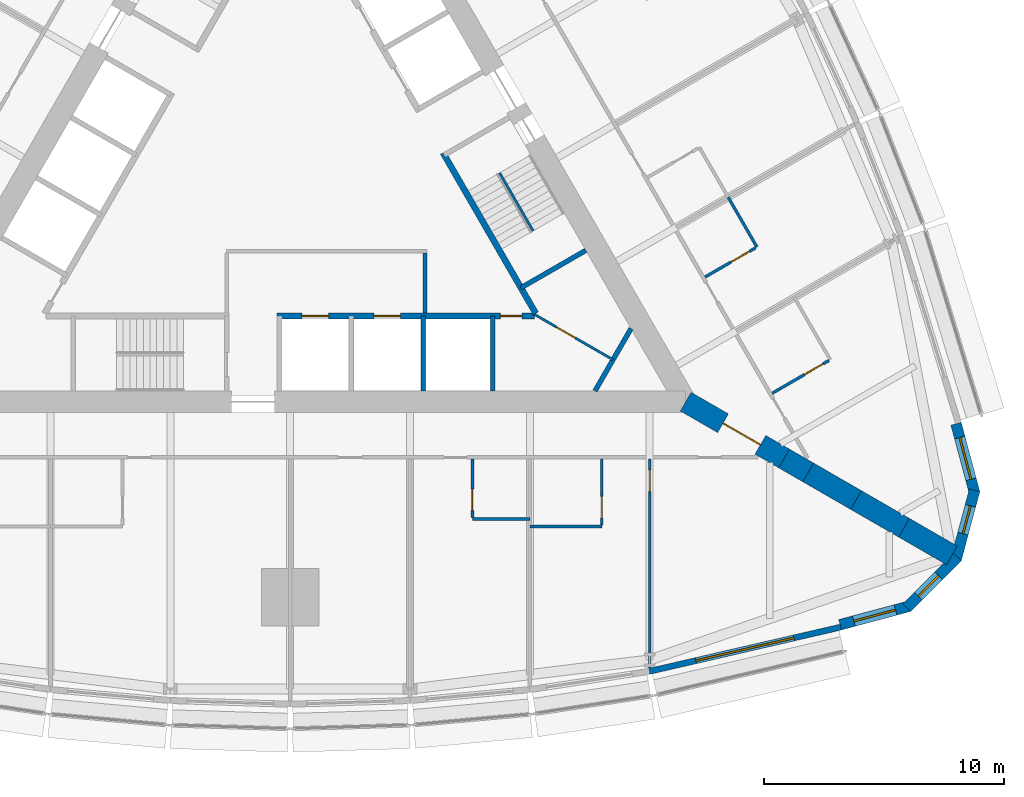
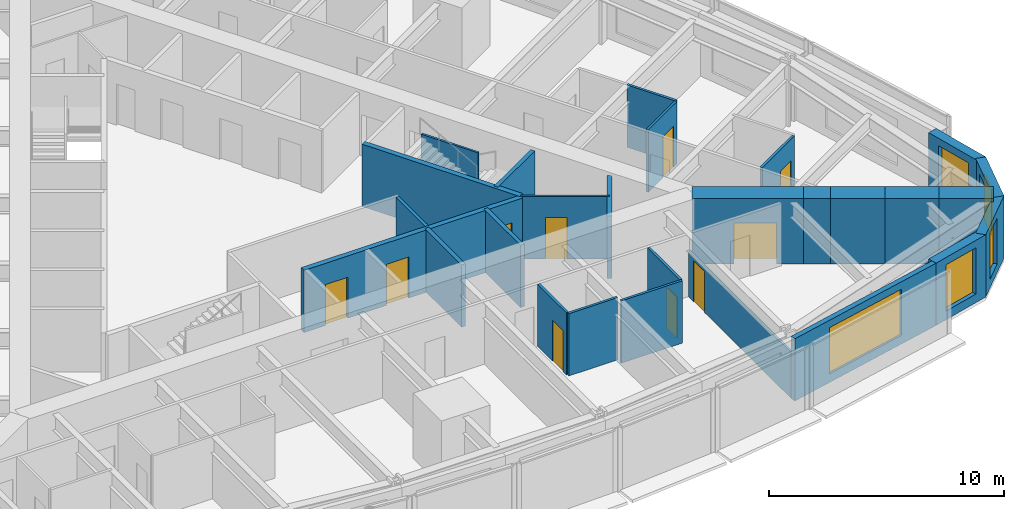
# One storey, part 10 of 14: 27 walls, 10 doors, 5 windows, 15 openings.
"""IFC4 building model written with IfcOpenShell, lengths in metres."""

from ifc_helpers import new_model, si_unit, direction, frame, frame_2d, origin, place, context, subcontext, project, spatial, polyline, rectangle, outline, extrude, material, layer, layer_set, type_object, element, fill, save


model = new_model("IFC4")

# Units and contexts
model_context = context("Model", 3, precision=1e-05, world=origin(), true_north=direction((0.0, 1.0)))
body_context = subcontext(model_context, "Body", "Model", "MODEL_VIEW")
ifc_project = project(units=[si_unit("LENGTHUNIT", "METRE"), si_unit("AREAUNIT", "SQUARE_METRE"), si_unit("VOLUMEUNIT", "CUBIC_METRE"), si_unit("PLANEANGLEUNIT", "RADIAN"), si_unit("MASSUNIT", "GRAM", prefix="KILO")], contexts=[model_context])

# Site, building, storey
site_placement = place(None, origin())
site = spatial("IfcSite", under=ifc_project, at=site_placement, CompositionType="ELEMENT")
building_placement = place(site_placement, origin())
building = spatial("IfcBuilding", under=site, at=building_placement, Name="Trikona Tower", CompositionType="ELEMENT")
storey_placement = place(building_placement, frame((0.0, 0.0, 38.699951171875)))
storey = spatial("IfcBuildingStorey", under=building, at=storey_placement, Name="L08", CompositionType="ELEMENT", Elevation=38.699951171875)

# Wall
ifc_material_1 = material(Name="Metal stud and cement board", Category="gypsum")
ifc_layer_1 = layer(ifc_material_1, 0.1201171875)
ifc_layer_set_1 = layer_set([ifc_layer_1], Name="Bathroom wall 120")
wall_type_1 = type_object("IfcWallType", Name="Bathroom wall 120", PredefinedType="PLUMBINGWALL", material=ifc_layer_set_1)
wall_1_placement = place(storey_placement, frame((7.60009765625, -14.42626953125, 0.0), z_axis=(0.0, 0.0, 1.0), x_axis=(1.0, 0.0, 0.0)))
element("IfcWall", 1, at=wall_1_placement, inside=storey, type_object=wall_type_1, Name="Bathroom wall 0804", PredefinedType="PLUMBINGWALL", context=body_context, shape_type="SweptSolid", body=[
    extrude(rectangle(XDim=2.39990234375, YDim=0.1201171875, at=frame_2d((1.199951171875, 0.0))), origin(), (0.0, 0.0, 1.0), 3.235107421875),
])

# Wall, opening, door
wall_2_placement = place(storey_placement, frame((7.60009765625, -11.92626953125, 0.0), z_axis=(0.0, 0.0, 1.0), x_axis=(0.0, -1.0, 0.0)))
wall_2 = element("IfcWall", 2, at=wall_2_placement, inside=storey, type_object=wall_type_1, Name="Bathroom wall 0804", PredefinedType="PLUMBINGWALL", context=body_context, shape_type="SweptSolid", body=[
    extrude(rectangle(XDim=2.43994140625, YDim=0.1201171875, at=frame_2d((1.219970703125, 0.0))), origin(), (0.0, 0.0, 1.0), 3.235107421875),
])
opening_1_placement = place(wall_2_placement, frame((1.25, 0.0, 0.0)))
opening_1 = element("IfcOpeningElement", 3, at=opening_1_placement, cuts=wall_2, Name="Opening D2", PredefinedType="OPENING", context=body_context, shape_type="SweptSolid", body=[
    extrude(rectangle(XDim=0.89990234375, YDim=2.1298828125, at=frame_2d((0.449951171875, 1.06494140625))), frame((0.0, 0.070068359375, 0.0), z_axis=(0.0, -1.0, 0.0), x_axis=(1.0, 0.0, 0.0)), (0.0, 0.0, 1.0), 0.14013671875),
])
ifc_material_2 = material(Name="Steel door frame with solid-core timber leaf", Category="steel")
door_type_1 = type_object("IfcDoorType", Name="Bathroom door 900x2130", OperationType="SLIDING_TO_LEFT", PredefinedType="DOOR", material=ifc_material_2)
door_1_placement = place(opening_1_placement, origin())
door_1 = element("IfcDoor", 4, at=door_1_placement, inside=storey, type_object=door_type_1, Name="Bathroom door 0804", OperationType="SLIDING_TO_LEFT", OverallHeight=2.1298828125, OverallWidth=0.89990234375, PredefinedType="DOOR", context=body_context, shape_type="SweptSolid", body=[
    extrude(rectangle(XDim=0.89990234375, YDim=2.1298828125, at=frame_2d((0.449951171875, 1.06494140625))), frame((0.0, 0.02490234375, 0.0), z_axis=(0.0, -1.0, 0.0), x_axis=(1.0, 0.0, 0.0)), (0.0, 0.0, 1.0), 0.050048828125),
])
fill(opening_1, door_1)

# Wall
wall_3_placement = place(storey_placement, frame((10.0, -14.726318359375, 0.0), z_axis=(0.0, 0.0, 1.0), x_axis=(1.0, 0.0, 0.0)))
element("IfcWall", 5, at=wall_3_placement, inside=storey, type_object=wall_type_1, Name="Bathroom wall 0805.1", PredefinedType="PLUMBINGWALL", context=body_context, shape_type="SweptSolid", body=[
    extrude(rectangle(XDim=3.0, YDim=0.1201171875, at=frame_2d((1.5, 0.0))), origin(), (0.0, 0.0, 1.0), 3.235107421875),
])

# Wall, opening, door
wall_4_placement = place(storey_placement, frame((13.0, -11.92626953125, 0.0), z_axis=(0.0, 0.0, 1.0), x_axis=(0.0, -1.0, 0.0)))
wall_4 = element("IfcWall", 6, at=wall_4_placement, inside=storey, type_object=wall_type_1, Name="Bathroom wall 0805.1", PredefinedType="PLUMBINGWALL", context=body_context, shape_type="SweptSolid", body=[
    extrude(rectangle(XDim=2.739990234375, YDim=0.1201171875, at=frame_2d((1.3701171875, 0.0))), origin(), (0.0, 0.0, 1.0), 3.235107421875),
])
opening_2_placement = place(wall_4_placement, frame((1.550048828125, 0.0, 0.0)))
opening_2 = element("IfcOpeningElement", 7, at=opening_2_placement, cuts=wall_4, Name="Opening D2", PredefinedType="OPENING", context=body_context, shape_type="SweptSolid", body=[
    extrude(rectangle(XDim=0.89990234375, YDim=2.1298828125, at=frame_2d((0.449951171875, 1.06494140625))), frame((0.0, 0.070068359375, 0.0), z_axis=(0.0, -1.0, 0.0), x_axis=(1.0, 0.0, 0.0)), (0.0, 0.0, 1.0), 0.14013671875),
])
door_2_placement = place(opening_2_placement, origin())
door_2 = element("IfcDoor", 8, at=door_2_placement, inside=storey, type_object=door_type_1, Name="Bathroom door 0805.1", OperationType="SLIDING_TO_LEFT", OverallHeight=2.1298828125, OverallWidth=0.89990234375, PredefinedType="DOOR", context=body_context, shape_type="SweptSolid", body=[
    extrude(rectangle(XDim=0.89990234375, YDim=2.1298828125, at=frame_2d((0.449951171875, 1.06494140625))), frame((0.0, 0.02490234375, 0.0), z_axis=(0.0, -1.0, 0.0), x_axis=(1.0, 0.0, 0.0)), (0.0, 0.0, 1.0), 0.050048828125),
])
fill(opening_2, door_2)

wall_5_placement = place(storey_placement, frame((20.10791015625, -9.17529296875, 0.0), z_axis=(0.0, 0.0, 1.0), x_axis=(0.866035715982, 0.499982138324, 0.0)))
wall_5 = element("IfcWall", 9, at=wall_5_placement, inside=storey, type_object=wall_type_1, Name="Bathroom wall 0806", PredefinedType="PLUMBINGWALL", context=body_context, shape_type="SweptSolid", body=[
    extrude(rectangle(XDim=2.73974609375, YDim=0.1201171875, at=frame_2d((1.369873046875, 0.0))), origin(), (0.0, 0.0, 1.0), 3.235107421875),
])
opening_3_placement = place(wall_5_placement, frame((1.550048828125, 0.0, 0.0)))
opening_3 = element("IfcOpeningElement", 10, at=opening_3_placement, cuts=wall_5, Name="Opening D2", PredefinedType="OPENING", context=body_context, shape_type="SweptSolid", body=[
    extrude(rectangle(XDim=0.89990234375, YDim=2.1298828125, at=frame_2d((0.449951171875, 1.06494140625))), frame((0.0, 0.070068359375, 0.0), z_axis=(0.0, -1.0, 0.0), x_axis=(1.0, 0.0, 0.0)), (0.0, 0.0, 1.0), 0.14013671875),
])
door_3_placement = place(opening_3_placement, origin())
door_3 = element("IfcDoor", 11, at=door_3_placement, inside=storey, type_object=door_type_1, Name="Bathroom door 0806", OperationType="SLIDING_TO_LEFT", OverallHeight=2.1298828125, OverallWidth=0.89990234375, PredefinedType="DOOR", context=body_context, shape_type="SweptSolid", body=[
    extrude(rectangle(XDim=0.89990234375, YDim=2.1298828125, at=frame_2d((0.449951171875, 1.06494140625))), frame((0.0, 0.02490234375, 0.0), z_axis=(0.0, -1.0, 0.0), x_axis=(1.0, 0.0, 0.0)), (0.0, 0.0, 1.0), 0.050048828125),
])
fill(opening_3, door_3)

# Wall
wall_6_placement = place(storey_placement, frame((19.472900390625, -3.07568359375, 0.0), z_axis=(0.0, 0.0, 1.0), x_axis=(-0.499957262057, 0.866050077142, 0.0)))
element("IfcWall", 12, at=wall_6_placement, inside=storey, type_object=wall_type_1, Name="Bathroom wall 0807", PredefinedType="PLUMBINGWALL", context=body_context, shape_type="SweptSolid", body=[
    extrude(rectangle(XDim=2.400146484375, YDim=0.1201171875, at=frame_2d((1.2001953125, 0.0))), origin(), (0.0, 0.0, 1.0), 3.235107421875),
])

# Wall, opening, door
wall_7_placement = place(storey_placement, frame((17.307861328125, -4.32568359375, 0.0), z_axis=(0.0, 0.0, 1.0), x_axis=(0.866023955769, 0.500002508028, 0.0)))
wall_7 = element("IfcWall", 13, at=wall_7_placement, inside=storey, type_object=wall_type_1, Name="Bathroom wall 0807", PredefinedType="PLUMBINGWALL", context=body_context, shape_type="SweptSolid", body=[
    extrude(rectangle(XDim=2.43994140625, YDim=0.1201171875, at=frame_2d((1.219970703125, 0.0))), origin(), (0.0, 0.0, 1.0), 3.235107421875),
])
opening_4_placement = place(wall_7_placement, frame((1.25, 0.0, 0.0)))
opening_4 = element("IfcOpeningElement", 14, at=opening_4_placement, cuts=wall_7, Name="Opening D2", PredefinedType="OPENING", context=body_context, shape_type="SweptSolid", body=[
    extrude(rectangle(XDim=0.89990234375, YDim=2.1298828125, at=frame_2d((0.449951171875, 1.06494140625))), frame((0.0, 0.070068359375, 0.0), z_axis=(0.0, -1.0, 0.0), x_axis=(1.0, 0.0, 0.0)), (0.0, 0.0, 1.0), 0.14013671875),
])
door_4_placement = place(opening_4_placement, origin())
door_4 = element("IfcDoor", 15, at=door_4_placement, inside=storey, type_object=door_type_1, Name="Bathroom door 0807", OperationType="SLIDING_TO_LEFT", OverallHeight=2.1298828125, OverallWidth=0.89990234375, PredefinedType="DOOR", context=body_context, shape_type="SweptSolid", body=[
    extrude(rectangle(XDim=0.89990234375, YDim=2.1298828125, at=frame_2d((0.449951171875, 1.06494140625))), frame((0.0, 0.02490234375, 0.0), z_axis=(0.0, -1.0, 0.0), x_axis=(1.0, 0.0, 0.0)), (0.0, 0.0, 1.0), 0.050048828125),
])
fill(opening_4, door_4)

# Wall, opening, window
ifc_material_3 = material(Name="Brick-faced precast concrete", Category="masonry")
ifc_layer_2 = layer(ifc_material_3, 0.449951171875)
ifc_layer_set_2 = layer_set([ifc_layer_2], Name="Brick-faced corner wall 450")
wall_type_2 = type_object("IfcWallType", Name="Brick-faced corner wall 450", PredefinedType="SOLIDWALL", material=ifc_layer_set_2)
wall_8_placement = place(storey_placement, frame((22.94189453125, -18.835205078125, 0.0), z_axis=(0.0, 0.0, 1.0), x_axis=(0.965930548995, 0.258801419081, 0.0)))
wall_8 = element("IfcWall", 16, at=wall_8_placement, inside=storey, type_object=wall_type_2, Name="External wall L08-08", PredefinedType="SOLIDWALL", context=body_context, shape_type="SweptSolid", body=[
    extrude(rectangle(XDim=2.988525390625, YDim=0.449951171875, at=frame_2d((1.494140625, 0.0))), origin(), (0.0, 0.0, 1.0), 3.235107421875),
])
opening_5_placement = place(wall_8_placement, frame((0.59423828125, 0.0, 0.449951171875)))
opening_5 = element("IfcOpeningElement", 17, at=opening_5_placement, cuts=wall_8, Name="Opening W1824", PredefinedType="OPENING", context=body_context, shape_type="SweptSolid", body=[
    extrude(rectangle(XDim=1.800048828125, YDim=2.39990234375, at=frame_2d((0.89990234375, 1.199951171875))), frame((0.0, 0.23486328125, 0.0), z_axis=(0.0, -1.0, 0.0), x_axis=(1.0, 0.0, 0.0)), (0.0, 0.0, 1.0), 0.469970703125),
])
ifc_material_4 = material(Name="Aluminium-framed double glazing", Category="aluminium")
window_type_1 = type_object("IfcWindowType", Name="Window 1800x2400", PartitioningType="SINGLE_PANEL", PredefinedType="WINDOW", material=ifc_material_4)
window_1_placement = place(opening_5_placement, origin())
window_1 = element("IfcWindow", 18, at=window_1_placement, inside=storey, type_object=window_type_1, Name="Window 0805", OverallHeight=2.39990234375, OverallWidth=1.800048828125, PartitioningType="SINGLE_PANEL", PredefinedType="WINDOW", context=body_context, shape_type="SweptSolid", body=[
    extrude(rectangle(XDim=1.800048828125, YDim=2.39990234375, at=frame_2d((0.89990234375, 1.199951171875))), frame((0.0, 0.030029296875, 0.0), z_axis=(0.0, -1.0, 0.0), x_axis=(1.0, 0.0, 0.0)), (0.0, 0.0, 1.0), 0.06005859375),
])
fill(opening_5, window_1)

wall_9_placement = place(storey_placement, frame((25.727783203125, -18.1201171875, 0.0), z_axis=(0.0, 0.0, 1.0), x_axis=(0.707025086683, 0.707188466253, 0.0)))
wall_9 = element("IfcWall", 19, at=wall_9_placement, inside=storey, type_object=wall_type_2, Name="External wall L08-09", PredefinedType="SOLIDWALL", context=body_context, shape_type="SweptSolid", body=[
    extrude(outline(polyline([(2.988525390625, 0.22509765625), (2.929931640625, 0.22509765625), (2.4375, 0.093017578125), (2.402099609375, 0.22509765625), (0.0, 0.22509765625), (0.0, -0.22509765625), (2.988525390625, -0.22509765625), (2.988525390625, 0.22509765625)])), origin(), (0.0, 0.0, 1.0), 3.235107421875),
])
opening_6_placement = place(wall_9_placement, frame((0.676025390625, 0.0, 0.449951171875)))
opening_6 = element("IfcOpeningElement", 20, at=opening_6_placement, cuts=wall_9, Name="Opening W1224", PredefinedType="OPENING", context=body_context, shape_type="SweptSolid", body=[
    extrude(rectangle(XDim=1.199951171875, YDim=2.39990234375, at=frame_2d((0.60009765625, 1.199951171875))), frame((0.0, 0.23486328125, 0.0), z_axis=(0.0, -1.0, 0.0), x_axis=(1.0, 0.0, 0.0)), (0.0, 0.0, 1.0), 0.469970703125),
])
ifc_material_5 = material(Name="Aluminium-framed double glazing", Category="aluminium")
window_type_2 = type_object("IfcWindowType", Name="Window 1200x2400", PartitioningType="SINGLE_PANEL", PredefinedType="WINDOW", material=ifc_material_5)
window_2_placement = place(opening_6_placement, origin())
window_2 = element("IfcWindow", 21, at=window_2_placement, inside=storey, type_object=window_type_2, Name="Window 0805", OverallHeight=2.39990234375, OverallWidth=1.199951171875, PartitioningType="SINGLE_PANEL", PredefinedType="WINDOW", context=body_context, shape_type="SweptSolid", body=[
    extrude(rectangle(XDim=1.199951171875, YDim=2.39990234375, at=frame_2d((0.60009765625, 1.199951171875))), frame((0.0, 0.030029296875, 0.0), z_axis=(0.0, -1.0, 0.0), x_axis=(1.0, 0.0, 0.0)), (0.0, 0.0, 1.0), 0.06005859375),
])
fill(opening_6, window_2)

wall_10_placement = place(storey_placement, frame((27.78271484375, -16.107666015625, 0.0), z_axis=(0.0, 0.0, 1.0), x_axis=(0.258801419081, 0.965930548995, 0.0)))
wall_10 = element("IfcWall", 22, at=wall_10_placement, inside=storey, type_object=wall_type_2, Name="External wall L08-10", PredefinedType="SOLIDWALL", context=body_context, shape_type="SweptSolid", body=[
    extrude(outline(polyline([(2.988525390625, 0.22509765625), (0.58642578125, 0.22509765625), (0.55126953125, 0.09326171875), (0.0595703125, 0.22509765625), (0.0, 0.22509765625), (0.0, -0.22509765625), (2.988525390625, -0.22509765625), (2.988525390625, 0.22509765625)])), origin(), (0.0, 0.0, 1.0), 3.235107421875),
])
opening_7_placement = place(wall_10_placement, frame((1.112548828125, 0.0, 0.449951171875)))
opening_7 = element("IfcOpeningElement", 23, at=opening_7_placement, cuts=wall_10, Name="Opening W1224", PredefinedType="OPENING", context=body_context, shape_type="SweptSolid", body=[
    extrude(rectangle(XDim=1.199951171875, YDim=2.39990234375, at=frame_2d((0.60009765625, 1.199951171875))), frame((0.0, 0.23486328125, 0.0), z_axis=(0.0, -1.0, 0.0), x_axis=(1.0, 0.0, 0.0)), (0.0, 0.0, 1.0), 0.469970703125),
])
window_3_placement = place(opening_7_placement, origin())
window_3 = element("IfcWindow", 24, at=window_3_placement, inside=storey, type_object=window_type_2, Name="Window 0806", OverallHeight=2.39990234375, OverallWidth=1.199951171875, PartitioningType="SINGLE_PANEL", PredefinedType="WINDOW", context=body_context, shape_type="SweptSolid", body=[
    extrude(rectangle(XDim=1.199951171875, YDim=2.39990234375, at=frame_2d((0.60009765625, 1.199951171875))), frame((0.0, 0.030029296875, 0.0), z_axis=(0.0, -1.0, 0.0), x_axis=(1.0, 0.0, 0.0)), (0.0, 0.0, 1.0), 0.06005859375),
])
fill(opening_7, window_3)

wall_11_placement = place(storey_placement, frame((28.55615234375, -13.33740234375, 0.0), z_axis=(0.0, 0.0, 1.0), x_axis=(-0.258780998834, 0.965936019953, 0.0)))
wall_11 = element("IfcWall", 25, at=wall_11_placement, inside=storey, type_object=wall_type_2, Name="External wall L08-11", PredefinedType="SOLIDWALL", context=body_context, shape_type="SweptSolid", body=[
    extrude(rectangle(XDim=2.98876953125, YDim=0.449951171875, at=frame_2d((1.494384765625, 0.0))), origin(), (0.0, 0.0, 1.0), 3.235107421875),
])
opening_8_placement = place(wall_11_placement, frame((0.59423828125, 0.0, 0.449951171875)))
opening_8 = element("IfcOpeningElement", 26, at=opening_8_placement, cuts=wall_11, Name="Opening W1824", PredefinedType="OPENING", context=body_context, shape_type="SweptSolid", body=[
    extrude(rectangle(XDim=1.800048828125, YDim=2.39990234375, at=frame_2d((0.89990234375, 1.199951171875))), frame((0.0, 0.23486328125, 0.0), z_axis=(0.0, -1.0, 0.0), x_axis=(1.0, 0.0, 0.0)), (0.0, 0.0, 1.0), 0.469970703125),
])
window_4_placement = place(opening_8_placement, origin())
window_4 = element("IfcWindow", 27, at=window_4_placement, inside=storey, type_object=window_type_1, Name="Window 0806", OverallHeight=2.39990234375, OverallWidth=1.800048828125, PartitioningType="SINGLE_PANEL", PredefinedType="WINDOW", context=body_context, shape_type="SweptSolid", body=[
    extrude(rectangle(XDim=1.800048828125, YDim=2.39990234375, at=frame_2d((0.89990234375, 1.199951171875))), frame((0.0, 0.030029296875, 0.0), z_axis=(0.0, -1.0, 0.0), x_axis=(1.0, 0.0, 0.0)), (0.0, 0.0, 1.0), 0.06005859375),
])
fill(opening_8, window_4)

# Wall, opening, door
ifc_material_6 = material(Name="Concrete f'c 10000 psi", Category="concrete")
ifc_layer_3 = layer(ifc_material_6, 0.89990234375)
ifc_layer_set_3 = layer_set([ifc_layer_3], Name="Buttress wall 900")
wall_type_3 = type_object("IfcWallType", Name="Buttress wall 900", PredefinedType="SHEAR", material=ifc_layer_set_3)
wall_12_placement = place(storey_placement, frame((16.5, -9.5263671875, 0.0), z_axis=(0.0, 0.0, 1.0), x_axis=(0.866031398331, -0.499989616998, 0.0)))
wall_12 = element("IfcWall", 28, at=wall_12_placement, inside=storey, type_object=wall_type_3, Name="Buttress wall 1", PredefinedType="SHEAR", context=body_context, shape_type="SweptSolid", body=[
    extrude(rectangle(XDim=4.74609375, YDim=0.89990234375, at=frame_2d((2.373046875, 0.0))), origin(), (0.0, 0.0, 1.0), 3.400146484375),
])
opening_9_placement = place(wall_12_placement, frame((1.800048828125, 0.0, 0.0)))
opening_9 = element("IfcOpeningElement", 29, at=opening_9_placement, cuts=wall_12, Name="Opening D10", PredefinedType="OPENING", context=body_context, shape_type="SweptSolid", body=[
    extrude(rectangle(XDim=1.800048828125, YDim=2.1298828125, at=frame_2d((0.89990234375, 1.06494140625))), frame((0.0, 0.4599609375, 0.0), z_axis=(0.0, -1.0, 0.0), x_axis=(1.0, 0.0, 0.0)), (0.0, 0.0, 1.0), 0.919921875),
])
ifc_material_7 = material(Name="Hollow metal door and frame", Category="steel")
door_type_2 = type_object("IfcDoorType", Name="Cross-corridor door pair 1800x2130", OperationType="DOUBLE_DOOR_DOUBLE_SWING", PredefinedType="DOOR", material=ifc_material_7)
door_5_placement = place(opening_9_placement, origin())
door_5 = element("IfcDoor", 30, at=door_5_placement, inside=storey, type_object=door_type_2, Name="Cross-corridor door 1", OperationType="DOUBLE_DOOR_DOUBLE_SWING", OverallHeight=2.1298828125, OverallWidth=1.800048828125, PredefinedType="DOOR", context=body_context, shape_type="SweptSolid", body=[
    extrude(rectangle(XDim=1.800048828125, YDim=2.1298828125, at=frame_2d((0.89990234375, 1.06494140625))), frame((0.0, 0.02490234375, 0.0), z_axis=(0.0, -1.0, 0.0), x_axis=(1.0, 0.0, 0.0)), (0.0, 0.0, 1.0), 0.050048828125),
])
fill(opening_9, door_5)

# Walls
wall_13_placement = place(storey_placement, frame((20.6103515625, -11.8994140625, 0.0), z_axis=(0.0, 0.0, 1.0), x_axis=(0.866009537788, -0.500027479704, 0.0)))
element("IfcWall", 31, at=wall_13_placement, inside=storey, type_object=wall_type_3, Name="Buttress wall 1 part 2", PredefinedType="SHEAR", context=body_context, shape_type="SweptSolid", body=[
    extrude(rectangle(XDim=1.15478515625, YDim=0.89990234375, at=frame_2d((0.577392578125, 0.0))), origin(), (0.0, 0.0, 1.0), 3.400146484375),
])
for number, where, z_axis, x_axis, name in (
    (32, (21.6103515625, -12.476806640625, 0.0), (0.0, 0.0, 1.0), (0.866055313784, -0.499948190782, 0.0), "Buttress wall 1 part 3"),
    (33, (23.6103515625, -13.63134765625, 0.0), (0.0, 0.0, 1.0), (0.866009537788, -0.500027479704, 0.0), "Buttress wall 1 part 4"),
    (34, (25.6103515625, -14.7861328125, 0.0), (0.0, 0.0, 1.0), (0.866009537788, -0.500027479704, 0.0), "Buttress wall 1 part 5"),
):
    element("IfcWall", number, at=place(storey_placement, frame(where, z_axis=z_axis, x_axis=x_axis)), inside=storey, type_object=wall_type_3, Name=name, PredefinedType="SHEAR", context=body_context, shape_type="SweptSolid", body=[
        extrude(rectangle(XDim=2.309326171875, YDim=0.89990234375, at=frame_2d((1.15478515625, 0.0))), origin(), (0.0, 0.0, 1.0), 3.400146484375),
    ])

# Wall, openings, doors
ifc_material_8 = material(Name="Concrete f'c 8000 psi", Category="concrete")
ifc_layer_4 = layer(ifc_material_8, 0.25)
ifc_layer_set_4 = layer_set([ifc_layer_4], Name="Hub wall 250")
wall_type_4 = type_object("IfcWallType", Name="Hub wall 250", PredefinedType="SOLIDWALL", material=ifc_layer_set_4)
wall_14_placement = place(storey_placement, frame((-0.550048828125, -5.951416015625, 0.0), z_axis=(0.0, 0.0, 1.0), x_axis=(1.0, 0.0, 0.0)))
wall_14 = element("IfcWall", 35, at=wall_14_placement, inside=storey, type_object=wall_type_4, Name="Lift lobby wall A2", PredefinedType="SOLIDWALL", context=body_context, shape_type="SweptSolid", body=[
    extrude(rectangle(XDim=10.73291015625, YDim=0.25, at=frame_2d((5.366455078125, 0.0))), origin(), (0.0, 0.0, 1.0), 3.235107421875),
])
opening_10_placement = place(wall_14_placement, frame((9.31396484375, 0.0, 0.0)))
opening_10 = element("IfcOpeningElement", 36, at=opening_10_placement, cuts=wall_14, Name="Opening D14", PredefinedType="OPENING", context=body_context, shape_type="SweptSolid", body=[
    extrude(rectangle(XDim=0.89990234375, YDim=2.1298828125, at=frame_2d((0.449951171875, 1.06494140625))), frame((0.0, 0.135009765625, 0.0), z_axis=(0.0, -1.0, 0.0), x_axis=(1.0, 0.0, 0.0)), (0.0, 0.0, 1.0), 0.27001953125),
])
opening_11_placement = place(wall_14_placement, frame((1.050048828125, 0.0, 0.0)))
opening_11 = element("IfcOpeningElement", 37, at=opening_11_placement, cuts=wall_14, Name="Opening LD", PredefinedType="OPENING", context=body_context, shape_type="SweptSolid", body=[
    extrude(rectangle(XDim=1.10009765625, YDim=2.1298828125, at=frame_2d((0.550048828125, 1.06494140625))), frame((0.0, 0.135009765625, 0.0), z_axis=(0.0, -1.0, 0.0), x_axis=(1.0, 0.0, 0.0)), (0.0, 0.0, 1.0), 0.27001953125),
])
opening_12_placement = place(wall_14_placement, frame((4.050048828125, 0.0, 0.0)))
opening_12 = element("IfcOpeningElement", 38, at=opening_12_placement, cuts=wall_14, Name="Opening LD", PredefinedType="OPENING", context=body_context, shape_type="SweptSolid", body=[
    extrude(rectangle(XDim=1.10009765625, YDim=2.1298828125, at=frame_2d((0.550048828125, 1.06494140625))), frame((0.0, 0.135009765625, 0.0), z_axis=(0.0, -1.0, 0.0), x_axis=(1.0, 0.0, 0.0)), (0.0, 0.0, 1.0), 0.27001953125),
])
ifc_material_9 = material(Name="Stainless steel lift landing door", Category="steel")
door_type_3 = type_object("IfcDoorType", Name="Lift landing door 1100x2130", OperationType="DOUBLE_DOOR_SLIDING", PredefinedType="USERDEFINED", material=ifc_material_9)
door_6_placement = place(opening_11_placement, origin())
door_6 = element("IfcDoor", 39, at=door_6_placement, inside=storey, type_object=door_type_3, Name="Lift landing door FF1", ObjectType="LIFT LANDING DOOR", OperationType="DOUBLE_DOOR_SLIDING", OverallHeight=2.1298828125, OverallWidth=1.10009765625, PredefinedType="USERDEFINED", context=body_context, shape_type="SweptSolid", body=[
    extrude(rectangle(XDim=1.10009765625, YDim=2.1298828125, at=frame_2d((0.550048828125, 1.06494140625))), frame((0.0, 0.02490234375, 0.0), z_axis=(0.0, -1.0, 0.0), x_axis=(1.0, 0.0, 0.0)), (0.0, 0.0, 1.0), 0.050048828125),
])
fill(opening_11, door_6)
door_7_placement = place(opening_12_placement, origin())
door_7 = element("IfcDoor", 40, at=door_7_placement, inside=storey, type_object=door_type_3, Name="Lift landing door FF2", ObjectType="LIFT LANDING DOOR", OperationType="DOUBLE_DOOR_SLIDING", OverallHeight=2.1298828125, OverallWidth=1.10009765625, PredefinedType="USERDEFINED", context=body_context, shape_type="SweptSolid", body=[
    extrude(rectangle(XDim=1.10009765625, YDim=2.1298828125, at=frame_2d((0.550048828125, 1.06494140625))), frame((0.0, 0.02490234375, 0.0), z_axis=(0.0, -1.0, 0.0), x_axis=(1.0, 0.0, 0.0)), (0.0, 0.0, 1.0), 0.050048828125),
])
fill(opening_12, door_7)
ifc_material_10 = material(Name="Hollow metal door and frame", Category="steel")
door_type_4 = type_object("IfcDoorType", Name="Service room door 900x2130", OperationType="SINGLE_SWING_LEFT", PredefinedType="DOOR", material=ifc_material_10)
door_8_placement = place(opening_10_placement, origin())
door_8 = element("IfcDoor", 41, at=door_8_placement, inside=storey, type_object=door_type_4, Name="Door Housekeeping store HKS", OperationType="SINGLE_SWING_RIGHT", OverallHeight=2.1298828125, OverallWidth=0.89990234375, PredefinedType="DOOR", context=body_context, shape_type="SweptSolid", body=[
    extrude(rectangle(XDim=0.89990234375, YDim=2.1298828125, at=frame_2d((0.449951171875, 1.06494140625))), frame((0.0, 0.02490234375, 0.0), z_axis=(0.0, -1.0, 0.0), x_axis=(1.0, 0.0, 0.0)), (0.0, 0.0, 1.0), 0.050048828125),
])
fill(opening_10, door_8)

# Wall
wall_15_placement = place(storey_placement, frame((10.245361328125, -5.843017578125, 0.0), z_axis=(0.0, 0.0, 1.0), x_axis=(-0.499993009313, 0.866029439822, 0.0)))
element("IfcWall", 42, at=wall_15_placement, inside=storey, type_object=wall_type_4, Name="Lift lobby wall B1", PredefinedType="SOLIDWALL", context=body_context, shape_type="SweptSolid", body=[
    extrude(rectangle(XDim=7.73291015625, YDim=0.25, at=frame_2d((3.866455078125, 0.0))), origin(), (0.0, 0.0, 1.0), 3.235107421875),
])

# Wall, opening, window
ifc_material_11 = material(Name="Insulated precast concrete spandrel panel", Category="concrete")
ifc_layer_5 = layer(ifc_material_11, 0.25)
ifc_layer_set_5 = layer_set([ifc_layer_5], Name="Inner skin wall 250")
wall_type_5 = type_object("IfcWallType", Name="Inner skin wall 250", PredefinedType="STANDARD", material=ifc_layer_set_5)
wall_16_placement = place(storey_placement, frame((14.9716796875, -20.78125, 0.0), z_axis=(0.0, 0.0, 1.0), x_axis=(0.974279327392, 0.225343720163, 0.0)))
wall_16 = element("IfcWall", 43, at=wall_16_placement, inside=storey, type_object=wall_type_5, Name="External wall L08-07", PredefinedType="STANDARD", context=body_context, shape_type="SweptSolid", body=[
    extrude(rectangle(XDim=8.211181640625, YDim=0.25, at=frame_2d((4.10546875, 0.0))), origin(), (0.0, 0.0, 1.0), 3.235107421875),
])
opening_13_placement = place(wall_16_placement, frame((2.005615234375, 0.0, 0.449951171875)))
opening_13 = element("IfcOpeningElement", 44, at=opening_13_placement, cuts=wall_16, Name="Opening W4224", PredefinedType="OPENING", context=body_context, shape_type="SweptSolid", body=[
    extrude(rectangle(XDim=4.199951171875, YDim=2.39990234375, at=frame_2d((2.10009765625, 1.199951171875))), frame((0.0, 0.135009765625, 0.0), z_axis=(0.0, -1.0, 0.0), x_axis=(1.0, 0.0, 0.0)), (0.0, 0.0, 1.0), 0.27001953125),
])
ifc_material_12 = material(Name="Aluminium-framed double glazing", Category="aluminium")
window_type_3 = type_object("IfcWindowType", Name="Window 4200x2400", PartitioningType="SINGLE_PANEL", PredefinedType="WINDOW", material=ifc_material_12)
window_5_placement = place(opening_13_placement, origin())
window_5 = element("IfcWindow", 45, at=window_5_placement, inside=storey, type_object=window_type_3, Name="Window 0805", OverallHeight=2.39990234375, OverallWidth=4.199951171875, PartitioningType="SINGLE_PANEL", PredefinedType="WINDOW", context=body_context, shape_type="SweptSolid", body=[
    extrude(rectangle(XDim=4.199951171875, YDim=2.39990234375, at=frame_2d((2.10009765625, 1.199951171875))), frame((0.0, 0.030029296875, 0.0), z_axis=(0.0, -1.0, 0.0), x_axis=(1.0, 0.0, 0.0)), (0.0, 0.0, 1.0), 0.06005859375),
])
fill(opening_13, window_5)

# Walls
ifc_material_13 = material(Name="Metal stud and gypsum board, 2-hour shaft wall", Category="gypsum")
ifc_layer_6 = layer(ifc_material_13, 0.14990234375)
ifc_layer_set_6 = layer_set([ifc_layer_6], Name="Lobby wall 150")
wall_type_6 = type_object("IfcWallType", Name="Lobby wall 150", PredefinedType="PARTITIONING", material=ifc_layer_set_6)
wall_17_placement = place(storey_placement, frame((5.625, -5.826416015625, 0.0), z_axis=(0.0, 0.0, 1.0), x_axis=(0.0, 1.0, 0.0)))
element("IfcWall", 46, at=wall_17_placement, inside=storey, type_object=wall_type_6, Name="Fire service lift lobby wall 3", PredefinedType="PARTITIONING", context=body_context, shape_type="SweptSolid", body=[
    extrude(rectangle(XDim=2.5, YDim=0.14990234375, at=frame_2d((1.25, 0.0))), origin(), (0.0, 0.0, 1.0), 3.235107421875),
])
ifc_material_14 = material(Name="Concrete f'c 8000 psi", Category="concrete")
ifc_layer_7 = layer(ifc_material_14, 0.199951171875)
ifc_layer_set_7 = layer_set([ifc_layer_7], Name="Shaft wall 200")
wall_type_7 = type_object("IfcWallType", Name="Shaft wall 200", PredefinedType="SOLIDWALL", material=ifc_layer_set_7)
for number, where, z_axis, x_axis, name in (
    (47, (5.550048828125, -5.951416015625, 0.0), (0.0, 0.0, 1.0), (0.0, -1.0, 0.0), "Shaft wall A5"),
    (48, (8.449951171875, -5.951416015625, 0.0), (0.0, 0.0, 1.0), (0.0, -1.0, 0.0), "Shaft wall A6"),
):
    element("IfcWall", number, at=place(storey_placement, frame(where, z_axis=z_axis, x_axis=x_axis)), inside=storey, type_object=wall_type_7, Name=name, PredefinedType="SOLIDWALL", context=body_context, shape_type="SweptSolid", body=[
        extrude(rectangle(XDim=3.125, YDim=0.199951171875, at=frame_2d((1.5625, 0.0))), origin(), (0.0, 0.0, 1.0), 3.235107421875),
    ])
wall_18_placement = place(storey_placement, frame((14.219482421875, -6.476318359375, 0.0), z_axis=(0.0, 0.0, 1.0), x_axis=(-0.499952404951, -0.866052881055, 0.0)))
element("IfcWall", 49, at=wall_18_placement, inside=storey, type_object=wall_type_7, Name="Riser wall L08-RS1", PredefinedType="SOLIDWALL", context=body_context, shape_type="SweptSolid", body=[
    extrude(rectangle(XDim=3.002197265625, YDim=0.199951171875, at=frame_2d((1.5009765625, 0.0))), origin(), (0.0, 0.0, 1.0), 3.235107421875),
])
ifc_material_15 = material(Name="Concrete f'c 8000 psi", Category="concrete")
ifc_layer_8 = layer(ifc_material_15, 0.199951171875)
ifc_layer_set_8 = layer_set([ifc_layer_8], Name="Shaft wall 200 load-bearing")
wall_type_8 = type_object("IfcWallType", Name="Shaft wall 200 load-bearing", PredefinedType="SOLIDWALL", material=ifc_layer_set_8)
wall_19_placement = place(storey_placement, frame((9.62890625, -4.775390625, 0.0), z_axis=(0.0, 0.0, 1.0), x_axis=(0.866022959057, 0.500004234368, 0.0)))
element("IfcWall", 50, at=wall_19_placement, inside=storey, type_object=wall_type_8, Name="Shaft wall B1", PredefinedType="SOLIDWALL", context=body_context, shape_type="SweptSolid", body=[
    extrude(rectangle(XDim=3.125, YDim=0.199951171875, at=frame_2d((1.5625, 0.0))), origin(), (0.0, 0.0, 1.0), 3.235107421875),
])
ifc_material_16 = material(Name="Concrete f'c 5000 psi", Category="concrete")
ifc_layer_9 = layer(ifc_material_16, 0.10009765625)
ifc_layer_set_9 = layer_set([ifc_layer_9], Name="Stair spine wall 100")
wall_type_9 = type_object("IfcWallType", Name="Stair spine wall 100", PredefinedType="SOLIDWALL", material=ifc_layer_set_9)
wall_20_placement = place(storey_placement, frame((10.134765625, -2.4013671875, 0.0), z_axis=(0.0, 0.0, 1.0), x_axis=(-0.499992232847, 0.866029888106, 0.0)))
element("IfcWall", 51, at=wall_20_placement, inside=storey, type_object=wall_type_9, Name="Stair B spine wall L08", PredefinedType="SOLIDWALL", context=body_context, shape_type="SweptSolid", body=[
    extrude(rectangle(XDim=2.7939453125, YDim=0.10009765625, at=frame_2d((1.39697265625, 0.0))), origin(), (0.0, 0.0, 1.0), 3.400146484375),
])

# Wall, opening, door
ifc_material_17 = material(Name="Metal stud and gypsum board, acoustic", Category="gypsum")
ifc_layer_10 = layer(ifc_material_17, 0.10009765625)
ifc_layer_set_10 = layer_set([ifc_layer_10], Name="Suite partition 100")
wall_type_10 = type_object("IfcWallType", Name="Suite partition 100", PredefinedType="PARTITIONING", material=ifc_layer_set_10)
wall_21_placement = place(storey_placement, frame((15.0, -11.92626953125, 0.0), z_axis=(0.0, 0.0, 1.0), x_axis=(0.0, -1.0, 0.0)))
wall_21 = element("IfcWall", 52, at=wall_21_placement, inside=storey, type_object=wall_type_10, Name="Suite partition L08 F1 u15", PredefinedType="PARTITIONING", context=body_context, shape_type="SweptSolid", body=[
    extrude(rectangle(XDim=8.72021484375, YDim=0.10009765625, at=frame_2d((4.360107421875, 0.0))), origin(), (0.0, 0.0, 1.0), 2.38916015625),
])
opening_14_placement = place(wall_21_placement, frame((0.449951171875, 0.0, 0.0)))
opening_14 = element("IfcOpeningElement", 53, at=opening_14_placement, cuts=wall_21, Name="Opening D13", PredefinedType="OPENING", context=body_context, shape_type="SweptSolid", body=[
    extrude(rectangle(XDim=0.89990234375, YDim=2.1298828125, at=frame_2d((0.449951171875, 1.06494140625))), frame((0.0, 0.06005859375, 0.0), z_axis=(0.0, -1.0, 0.0), x_axis=(1.0, 0.0, 0.0)), (0.0, 0.0, 1.0), 0.1201171875),
])
ifc_material_18 = material(Name="Steel door frame with solid-core timber leaf", Category="steel")
door_type_5 = type_object("IfcDoorType", Name="Suite door 900x2130", OperationType="SINGLE_SWING_LEFT", PredefinedType="DOOR", material=ifc_material_18)
door_9_placement = place(opening_14_placement, origin())
door_9 = element("IfcDoor", 54, at=door_9_placement, inside=storey, type_object=door_type_5, Name="Suite door 0805", OperationType="SINGLE_SWING_LEFT", OverallHeight=2.1298828125, OverallWidth=0.89990234375, PredefinedType="DOOR", context=body_context, shape_type="SweptSolid", body=[
    extrude(rectangle(XDim=0.89990234375, YDim=2.1298828125, at=frame_2d((0.449951171875, 1.06494140625))), frame((0.0, 0.02490234375, 0.0), z_axis=(0.0, -1.0, 0.0), x_axis=(1.0, 0.0, 0.0)), (0.0, 0.0, 1.0), 0.050048828125),
])
fill(opening_14, door_9)

wall_22_placement = place(storey_placement, frame((13.468994140625, -7.7763671875, 0.0), z_axis=(0.0, 0.0, 1.0), x_axis=(-0.866021898093, 0.500006071987, 0.0)))
wall_22 = element("IfcWall", 55, at=wall_22_placement, inside=storey, type_object=wall_type_10, Name="Store partition L08-RS1", PredefinedType="PARTITIONING", context=body_context, shape_type="SweptSolid", body=[
    extrude(rectangle(XDim=3.775390625, YDim=0.10009765625, at=frame_2d((1.8876953125, 0.0))), origin(), (0.0, 0.0, 1.0), 3.235107421875),
])
opening_15_placement = place(wall_22_placement, frame((1.815185546875, 0.0, 0.0)))
opening_15 = element("IfcOpeningElement", 56, at=opening_15_placement, cuts=wall_22, Name="Opening D15", PredefinedType="OPENING", context=body_context, shape_type="SweptSolid", body=[
    extrude(rectangle(XDim=0.89990234375, YDim=2.1298828125, at=frame_2d((0.449951171875, 1.06494140625))), frame((0.0, 0.06005859375, 0.0), z_axis=(0.0, -1.0, 0.0), x_axis=(1.0, 0.0, 0.0)), (0.0, 0.0, 1.0), 0.1201171875),
])
ifc_material_19 = material(Name="Steel door frame with solid-core timber leaf", Category="steel")
door_type_6 = type_object("IfcDoorType", Name="Store door 900x2130", OperationType="SINGLE_SWING_LEFT", PredefinedType="DOOR", material=ifc_material_19)
door_10_placement = place(opening_15_placement, origin())
door_10 = element("IfcDoor", 57, at=door_10_placement, inside=storey, type_object=door_type_6, Name="Door Minibar store MBS", OperationType="SINGLE_SWING_RIGHT", OverallHeight=2.1298828125, OverallWidth=0.89990234375, PredefinedType="DOOR", context=body_context, shape_type="SweptSolid", body=[
    extrude(rectangle(XDim=0.89990234375, YDim=2.1298828125, at=frame_2d((0.449951171875, 1.06494140625))), frame((0.0, 0.02490234375, 0.0), z_axis=(0.0, -1.0, 0.0), x_axis=(1.0, 0.0, 0.0)), (0.0, 0.0, 1.0), 0.050048828125),
])
fill(opening_15, door_10)

save(model, "model.ifc")
